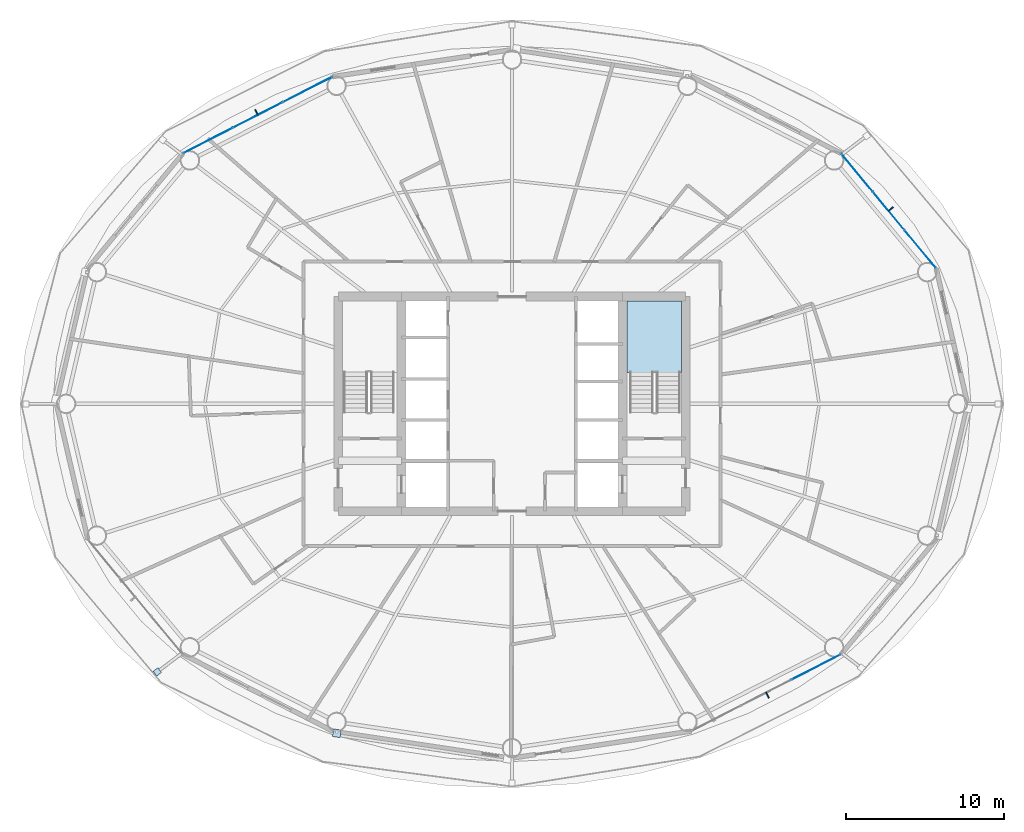
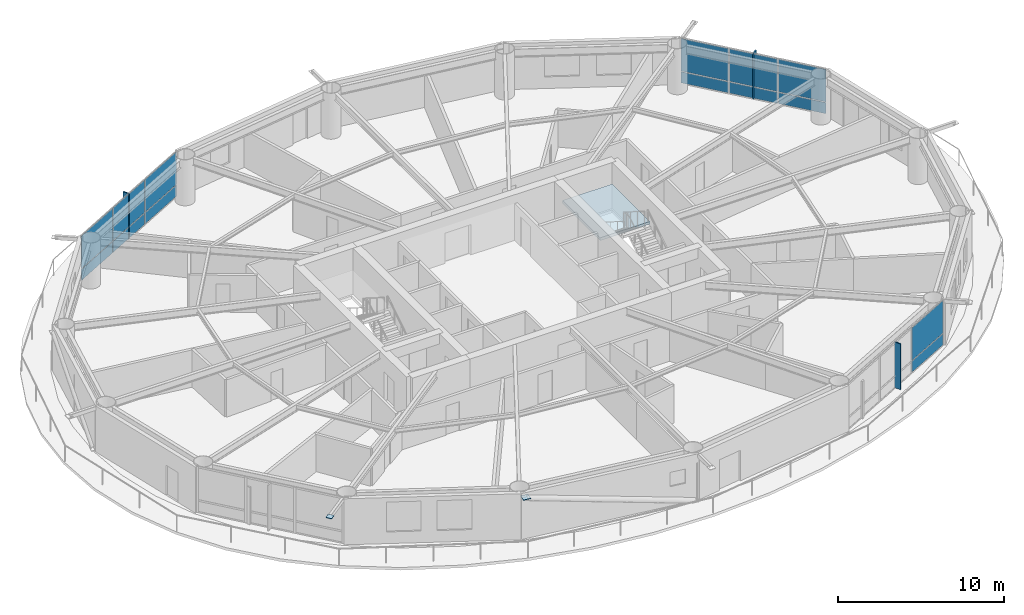
# One storey, part 16 of 24: 19 plates, 1 slab, 4 elements without a shape of their own.
"""IFC4 building model written with IfcOpenShell, lengths in metres."""

from ifc_helpers import new_model, si_unit, direction, frame, origin, origin_2d, place, context, subcontext, project, spatial, polyline, rectangle, outline, extrude, material, layer, layer_set, type_object, element, aggregate, save


model = new_model("IFC4")

# Units and contexts
model_context = context("Model", 3, precision=1e-05, world=origin(), true_north=direction((0.0, 1.0)))
body_context = subcontext(model_context, "Body", "Model", "MODEL_VIEW")
ifc_project = project(units=[si_unit("LENGTHUNIT", "METRE"), si_unit("AREAUNIT", "SQUARE_METRE"), si_unit("VOLUMEUNIT", "CUBIC_METRE"), si_unit("PLANEANGLEUNIT", "RADIAN"), si_unit("MASSUNIT", "GRAM", prefix="KILO")], contexts=[model_context])

# Site, building, storey
site_placement = place(None, origin())
site = spatial("IfcSite", under=ifc_project, at=site_placement, CompositionType="ELEMENT")
building_placement = place(site_placement, origin())
building = spatial("IfcBuilding", under=site, at=building_placement, Name="Sarneth Arch Tower", CompositionType="ELEMENT")
storey_placement = place(building_placement, frame((0.0, 0.0, 116.39990234375)))
storey = spatial("IfcBuildingStorey", under=building, at=storey_placement, Name="L29", CompositionType="ELEMENT", Elevation=116.39990234375)

# Curtain wall, plates
ifc_material_1 = material(Name="Anodised aluminium Type AA25 and solar-control low-e laminated IGU", Category="aluminium")
ifc_layer_1 = layer(ifc_material_1, 0.159912109375)
ifc_layer_set_1 = layer_set([ifc_layer_1], Name="Anodised aluminium Type AA25 and solar-control low-e laminated IGU")
curtain_wall_type = type_object("IfcCurtainWallType", Name="CW-HOTEL-MID", PredefinedType="NOTDEFINED", material=ifc_layer_set_1)
curtain_wall_1_placement = place(storey_placement, origin())
curtain_wall_1 = element("IfcCurtainWall", 1, at=curtain_wall_1_placement, inside=storey, type_object=curtain_wall_type, Name="L29 Unitised curtain wall facet 02", PredefinedType="NOTDEFINED")
ifc_material_2 = material(Name="Solar-control low-e laminated IGU", Category="glass")
ifc_layer_2 = layer(ifc_material_2, 0.028076171875)
ifc_layer_set_2 = layer_set([ifc_layer_2], Name="Solar-control low-e laminated IGU")
plate_type_1 = type_object("IfcPlateType", Name="CW-PANEL", PredefinedType="CURTAIN_PANEL", material=ifc_layer_set_2)
plate_1_placement = place(storey_placement, frame((73.84814453125, 51.807861328125, 0.06005859375), z_axis=(0.0, 0.0, 1.0), x_axis=(-0.637515188684, 0.770437787363, 0.0)))
plate_1 = element("IfcPlate", 2, at=plate_1_placement, type_object=plate_type_1, Name="Curtain wall glazed vision pane CW-L29-F02/P00-00", PredefinedType="CURTAIN_PANEL", context=body_context, shape_type="SweptSolid", body=[
    extrude(rectangle(XDim=3.058349609375, YDim=0.028076171875, at=origin_2d()), origin(), (0.0, 0.0, 1.0), 0.81005859375),
])
plate_2_placement = place(storey_placement, frame((73.84814453125, 51.807861328125, 0.93017578125), z_axis=(0.0, 0.0, 1.0), x_axis=(-0.637515188684, 0.770437787363, 0.0)))
plate_2 = element("IfcPlate", 3, at=plate_2_placement, type_object=plate_type_1, Name="Curtain wall glazed vision pane CW-L29-F02/P00-01", PredefinedType="CURTAIN_PANEL", context=body_context, shape_type="SweptSolid", body=[
    extrude(rectangle(XDim=3.058349609375, YDim=0.028076171875, at=origin_2d()), origin(), (0.0, 0.0, 1.0), 2.389892578125),
])
plate_3_placement = place(storey_placement, frame((71.8505859375, 54.221923828125, 0.06005859375), z_axis=(0.0, 0.0, 1.0), x_axis=(-0.637515188684, 0.770437787363, 0.0)))
plate_3 = element("IfcPlate", 4, at=plate_3_placement, type_object=plate_type_1, Name="Curtain wall glazed vision pane CW-L29-F02/P01-00", PredefinedType="CURTAIN_PANEL", context=body_context, shape_type="SweptSolid", body=[
    extrude(rectangle(XDim=3.08837890625, YDim=0.028076171875, at=origin_2d()), origin(), (0.0, 0.0, 1.0), 0.81005859375),
])
plate_4_placement = place(storey_placement, frame((71.8505859375, 54.221923828125, 0.93017578125), z_axis=(0.0, 0.0, 1.0), x_axis=(-0.637515188684, 0.770437787363, 0.0)))
plate_4 = element("IfcPlate", 5, at=plate_4_placement, type_object=plate_type_1, Name="Curtain wall glazed vision pane CW-L29-F02/P01-01", PredefinedType="CURTAIN_PANEL", context=body_context, shape_type="SweptSolid", body=[
    extrude(rectangle(XDim=3.08837890625, YDim=0.028076171875, at=origin_2d()), origin(), (0.0, 0.0, 1.0), 2.389892578125),
])
plate_5_placement = place(storey_placement, frame((69.85302734375, 56.635986328125, 0.06005859375), z_axis=(0.0, 0.0, 1.0), x_axis=(-0.637515188684, 0.770437787363, 0.0)))
plate_5 = element("IfcPlate", 6, at=plate_5_placement, type_object=plate_type_1, Name="Curtain wall glazed vision pane CW-L29-F02/P02-00", PredefinedType="CURTAIN_PANEL", context=body_context, shape_type="SweptSolid", body=[
    extrude(rectangle(XDim=3.058349609375, YDim=0.028076171875, at=origin_2d()), origin(), (0.0, 0.0, 1.0), 0.81005859375),
])
plate_6_placement = place(storey_placement, frame((69.85302734375, 56.635986328125, 0.93017578125), z_axis=(0.0, 0.0, 1.0), x_axis=(-0.637515188684, 0.770437787363, 0.0)))
plate_6 = element("IfcPlate", 7, at=plate_6_placement, type_object=plate_type_1, Name="Curtain wall glazed vision pane CW-L29-F02/P02-01", PredefinedType="CURTAIN_PANEL", context=body_context, shape_type="SweptSolid", body=[
    extrude(rectangle(XDim=3.058349609375, YDim=0.028076171875, at=origin_2d()), origin(), (0.0, 0.0, 1.0), 2.389892578125),
])
aggregate(curtain_wall_1, [plate_1, plate_2, plate_3, plate_4, plate_5, plate_6])

curtain_wall_2_placement = place(storey_placement, origin())
curtain_wall_2 = element("IfcCurtainWall", 8, at=curtain_wall_2_placement, inside=storey, type_object=curtain_wall_type, Name="L29 Unitised curtain wall facet 06", PredefinedType="NOTDEFINED")
plate_7_placement = place(storey_placement, frame((35.053955078125, 61.905517578125, 0.06005859375), z_axis=(0.0, 0.0, 1.0), x_axis=(-0.889963703649, -0.456031365356, 0.0)))
plate_7 = element("IfcPlate", 9, at=plate_7_placement, type_object=plate_type_1, Name="Curtain wall glazed vision pane CW-L29-F06/P00-00", PredefinedType="CURTAIN_PANEL", context=body_context, shape_type="SweptSolid", body=[
    extrude(rectangle(XDim=3.464111328125, YDim=0.028076171875, at=origin_2d()), origin(), (0.0, 0.0, 1.0), 0.81005859375),
])
plate_8_placement = place(storey_placement, frame((35.053955078125, 61.905517578125, 0.93017578125), z_axis=(0.0, 0.0, 1.0), x_axis=(-0.889963703649, -0.456031365356, 0.0)))
plate_8 = element("IfcPlate", 10, at=plate_8_placement, type_object=plate_type_1, Name="Curtain wall glazed vision pane CW-L29-F06/P00-01", PredefinedType="CURTAIN_PANEL", context=body_context, shape_type="SweptSolid", body=[
    extrude(rectangle(XDim=3.464111328125, YDim=0.028076171875, at=origin_2d()), origin(), (0.0, 0.0, 1.0), 2.389892578125),
])
plate_9_placement = place(storey_placement, frame((31.904296875, 60.29150390625, 0.06005859375), z_axis=(0.0, 0.0, 1.0), x_axis=(-0.889963703649, -0.456031365356, 0.0)))
plate_9 = element("IfcPlate", 11, at=plate_9_placement, type_object=plate_type_1, Name="Curtain wall glazed vision pane CW-L29-F06/P01-00", PredefinedType="CURTAIN_PANEL", context=body_context, shape_type="SweptSolid", body=[
    extrude(rectangle(XDim=3.493896484375, YDim=0.028076171875, at=origin_2d()), origin(), (0.0, 0.0, 1.0), 0.81005859375),
])
plate_10_placement = place(storey_placement, frame((31.904296875, 60.29150390625, 0.93017578125), z_axis=(0.0, 0.0, 1.0), x_axis=(-0.889963703649, -0.456031365356, 0.0)))
plate_10 = element("IfcPlate", 12, at=plate_10_placement, type_object=plate_type_1, Name="Curtain wall glazed vision pane CW-L29-F06/P01-01", PredefinedType="CURTAIN_PANEL", context=body_context, shape_type="SweptSolid", body=[
    extrude(rectangle(XDim=3.493896484375, YDim=0.028076171875, at=origin_2d()), origin(), (0.0, 0.0, 1.0), 2.389892578125),
])
plate_11_placement = place(storey_placement, frame((28.7548828125, 58.677734375, 0.06005859375), z_axis=(0.0, 0.0, 1.0), x_axis=(-0.889963703649, -0.456031365356, 0.0)))
plate_11 = element("IfcPlate", 13, at=plate_11_placement, type_object=plate_type_1, Name="Curtain wall glazed vision pane CW-L29-F06/P02-00", PredefinedType="CURTAIN_PANEL", context=body_context, shape_type="SweptSolid", body=[
    extrude(rectangle(XDim=3.464111328125, YDim=0.028076171875, at=origin_2d()), origin(), (0.0, 0.0, 1.0), 0.81005859375),
])
plate_12_placement = place(storey_placement, frame((28.7548828125, 58.677734375, 0.93017578125), z_axis=(0.0, 0.0, 1.0), x_axis=(-0.889963703649, -0.456031365356, 0.0)))
plate_12 = element("IfcPlate", 14, at=plate_12_placement, type_object=plate_type_1, Name="Curtain wall glazed vision pane CW-L29-F06/P02-01", PredefinedType="CURTAIN_PANEL", context=body_context, shape_type="SweptSolid", body=[
    extrude(rectangle(XDim=3.464111328125, YDim=0.028076171875, at=origin_2d()), origin(), (0.0, 0.0, 1.0), 2.389892578125),
])
aggregate(curtain_wall_2, [plate_7, plate_8, plate_9, plate_10, plate_11, plate_12])

curtain_wall_3_placement = place(storey_placement, origin())
curtain_wall_3 = element("IfcCurtainWall", 15, at=curtain_wall_3_placement, inside=storey, type_object=curtain_wall_type, Name="L29 Unitised curtain wall facet 14", PredefinedType="NOTDEFINED")
plate_13_placement = place(storey_placement, frame((67.2451171875, 25.322265625, 0.06005859375), z_axis=(0.0, 0.0, 1.0), x_axis=(0.889963703649, 0.456031365356, 0.0)))
plate_13 = element("IfcPlate", 16, at=plate_13_placement, type_object=plate_type_1, Name="Curtain wall glazed vision pane CW-L29-F14/P02-00", PredefinedType="CURTAIN_PANEL", context=body_context, shape_type="SweptSolid", body=[
    extrude(rectangle(XDim=3.464111328125, YDim=0.028076171875, at=origin_2d()), origin(), (0.0, 0.0, 1.0), 0.81005859375),
])
plate_14_placement = place(storey_placement, frame((67.2451171875, 25.322265625, 0.93017578125), z_axis=(0.0, 0.0, 1.0), x_axis=(0.889963703649, 0.456031365356, 0.0)))
plate_14 = element("IfcPlate", 17, at=plate_14_placement, type_object=plate_type_1, Name="Curtain wall glazed vision pane CW-L29-F14/P02-01", PredefinedType="CURTAIN_PANEL", context=body_context, shape_type="SweptSolid", body=[
    extrude(rectangle(XDim=3.464111328125, YDim=0.028076171875, at=origin_2d()), origin(), (0.0, 0.0, 1.0), 2.389892578125),
])
aggregate(curtain_wall_3, [plate_13, plate_14])

# Plates
ifc_material_3 = material(Name="Steel S355", Category="steel")
ifc_layer_3 = layer(ifc_material_3, 0.035888671875)
ifc_layer_set_3 = layer_set([ifc_layer_3], Name="Steel S355")
plate_type_2 = type_object("IfcPlateType", Name="PLT-GUSSET-30", PredefinedType="SHEET", material=ifc_layer_set_3)
plate_15_placement = place(storey_placement, frame((25.53955078125, 25.026123046875, 3.2021484375), z_axis=(0.0, 0.0, 1.0), x_axis=(-0.797794439539, -0.602929541689, 0.0)))
element("IfcPlate", 18, at=plate_15_placement, inside=storey, type_object=plate_type_2, Name="Steel end cap plate GP-1", PredefinedType="SHEET", context=body_context, shape_type="SweptSolid", body=[
    extrude(rectangle(XDim=0.3798828125, YDim=0.3798828125, at=origin_2d()), origin(), (0.0, 0.0, 1.0), 0.035888671875),
])
plate_16_placement = place(storey_placement, frame((36.9072265625, 21.140380859375, 2.9951171875), z_axis=(0.0, 0.0, 1.0), x_axis=(0.988860535448, -0.148845024885, 0.0)))
element("IfcPlate", 19, at=plate_16_placement, inside=storey, type_object=plate_type_2, Name="Steel end cap plate GP-1", PredefinedType="SHEET", context=body_context, shape_type="SweptSolid", body=[
    extrude(rectangle(XDim=0.486083984375, YDim=0.486083984375, at=origin_2d()), origin(), (0.0, 0.0, 1.0), 0.035888671875),
])
ifc_material_4 = material(Name="Extruded glazed terracotta baguette fin on Aluminium 6063-T6 carrier", Category="masonry")
ifc_layer_4 = layer(ifc_material_4, 0.080078125)
ifc_layer_set_4 = layer_set([ifc_layer_4], Name="Extruded glazed terracotta baguette fin on Aluminium 6063-T6 carrier")
plate_type_3 = type_object("IfcPlateType", Name="SHADE-TERRA-FIN", PredefinedType="SHEET", material=ifc_layer_set_4)
for number, where, z_axis, x_axis, name in (
    (20, (71.981689453125, 54.330322265625, 0.01025390625), (0.0, 0.0, 1.0), (0.770401979567, 0.63755845997, 0.0), "L29 Terracotta vertical shading fin 02"),
    (21, (31.826904296875, 60.44287109375, 0.01025390625), (0.0, 0.0, 1.0), (-0.456010959102, 0.889974159838, 0.0), "L29 Terracotta vertical shading fin 06"),
    (22, (64.173095703125, 23.55712890625, 0.01025390625), (0.0, 0.0, 1.0), (0.456010959102, -0.889974159838, 0.0), "L29 Terracotta vertical shading fin 14"),
):
    element("IfcPlate", number, at=place(storey_placement, frame(where, z_axis=z_axis, x_axis=x_axis)), inside=storey, type_object=plate_type_3, Name=name, PredefinedType="SHEET", context=body_context, shape_type="SweptSolid", body=[
        extrude(rectangle(XDim=0.419921875, YDim=0.080078125, at=origin_2d()), origin(), (0.0, 0.0, 1.0), 3.360107421875),
    ])

# Stair, slab
ifc_material_5 = material(Name="Concrete C50/60", Category="concrete")
stair_type = type_object("IfcStairType", Name="STAIR-CORE-RC", PredefinedType="HALF_TURN_STAIR", material=ifc_material_5)
stair_placement = place(storey_placement, origin())
stair = element("IfcStair", 23, at=stair_placement, inside=storey, type_object=stair_type, Name="L29 Core Exit Stair 2", PredefinedType="HALF_TURN_STAIR")
ifc_material_6 = material(Name="Concrete C50/60", Category="concrete")
ifc_layer_5 = layer(ifc_material_6, 0.199951171875)
ifc_layer_set_5 = layer_set([ifc_layer_5], Name="Concrete C50/60")
slab_type = type_object("IfcSlabType", Name="SLAB-LANDING-200", PredefinedType="LANDING", material=ifc_layer_set_5)
slab_placement = place(storey_placement, frame((0.0, 0.0, 1.60009765625)))
slab = element("IfcSlab", 24, at=slab_placement, type_object=slab_type, Name="ST-2 landing 1", PredefinedType="LANDING", context=body_context, shape_type="SweptSolid", body=[
    extrude(outline(polyline([(55.27490234375, 43.985107421875), (58.72509765625, 43.985107421875), (58.72509765625, 48.52490234375), (55.27490234375, 48.52490234375), (55.27490234375, 43.985107421875)])), origin(), (0.0, 0.0, 1.0), 0.199951171875),
])
aggregate(stair, [slab])

save(model, "model.ifc")
